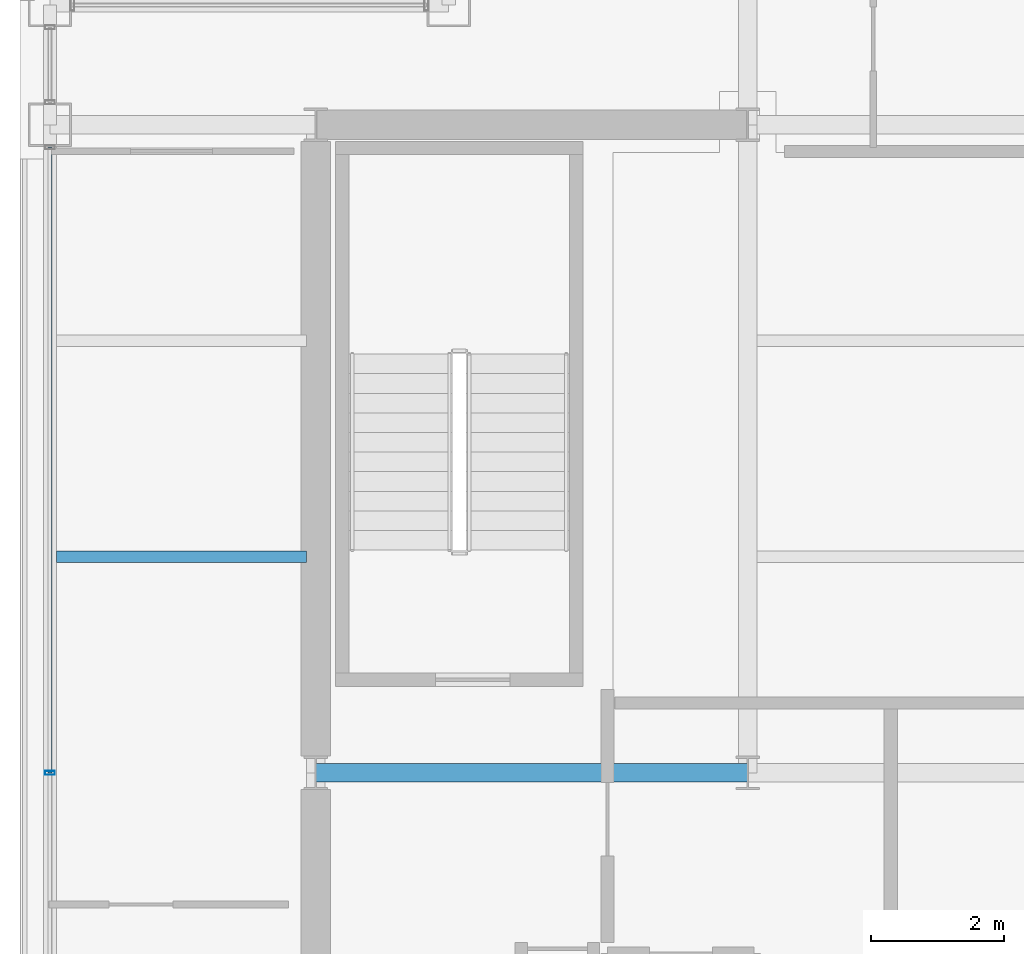
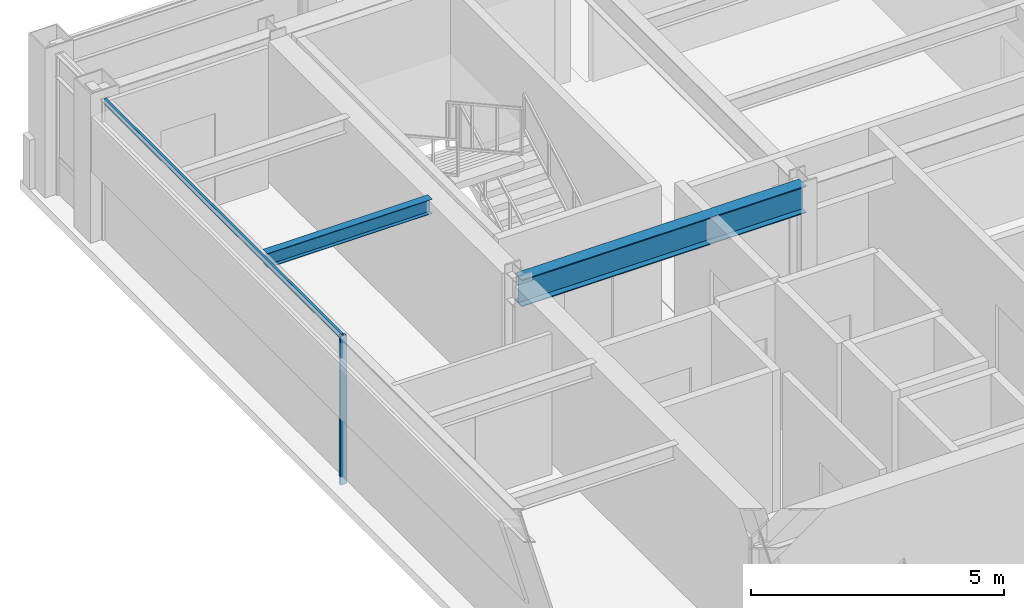
# One storey, part 6 of 23: 2 beams, 2 members, 1 element without a shape of its own.
"""IFC4 building model written with IfcOpenShell, lengths in metres."""

from ifc_helpers import new_model, si_unit, direction, frame, origin, origin_2d, place, context, subcontext, project, spatial, hollow_rectangle, i_section, extrude, material, layer, layer_set, material_profile, profile_set, type_object, element, aggregate, save


model = new_model("IFC4")

# Units and contexts
model_context = context("Model", 3, precision=1e-05, world=origin(), true_north=direction((0.0, 1.0)))
body_context = subcontext(model_context, "Body", "Model", "MODEL_VIEW")
ifc_project = project(units=[si_unit("LENGTHUNIT", "METRE"), si_unit("AREAUNIT", "SQUARE_METRE"), si_unit("VOLUMEUNIT", "CUBIC_METRE"), si_unit("PLANEANGLEUNIT", "RADIAN"), si_unit("MASSUNIT", "GRAM", prefix="KILO")], contexts=[model_context])

# Site, building, storey
site_placement = place(None, origin())
site = spatial("IfcSite", under=ifc_project, at=site_placement, CompositionType="ELEMENT")
building_placement = place(site_placement, origin())
building = spatial("IfcBuilding", under=site, at=building_placement, Name="Brelmoor Portico Tower", CompositionType="ELEMENT")
storey_placement = place(building_placement, frame((0.0, 0.0, 222.0)))
storey = spatial("IfcBuildingStorey", under=building, at=storey_placement, Name="L58", CompositionType="ELEMENT", Elevation=222.0)

# Beams
ifc_material_1 = material(Name="Steel Q355B", Category="steel")
ifc_material_profile_1 = material_profile(ifc_material_1, i_section(OverallWidth=0.175048828125, OverallDepth=0.35009765625, WebThickness=0.007080078125, FlangeThickness=0.010986328125, at=origin_2d()), Name="HN 350x175x7x11")
ifc_profile_set_1 = profile_set([ifc_material_profile_1], Name="Steel Q355B")
beam_type_1 = type_object("IfcBeamType", Name="BM-JS-350", PredefinedType="JOIST", material=ifc_profile_set_1)
beam_1_placement = place(storey_placement, frame((-18.449951171875, 3.25, 3.22509765625), z_axis=(1.0, 0.0, 0.0), x_axis=(0.0, 1.0, 0.0)))
element("IfcBeam", 1, at=beam_1_placement, inside=storey, type_object=beam_type_1, Name="L58 Secondary Wing Joist JS-W09", PredefinedType="JOIST", context=body_context, shape_type="SweptSolid", body=[
    extrude(i_section(OverallWidth=0.175048828125, OverallDepth=0.35009765625, WebThickness=0.007080078125, FlangeThickness=0.010986328125, at=origin_2d()), origin(), (0.0, 0.0, 1.0), 3.760009765625),
])
ifc_material_profile_2 = material_profile(ifc_material_1, i_section(OverallWidth=0.280029296875, OverallDepth=0.64990234375, WebThickness=0.012939453125, FlangeThickness=0.02197265625, at=origin_2d()), Name="HN 650x280x13x22")
ifc_profile_set_2 = profile_set([ifc_material_profile_2], Name="Steel Q355B")
beam_type_2 = type_object("IfcBeamType", Name="BM-PG-650", PredefinedType="BEAM", material=ifc_profile_set_2)
beam_2_placement = place(storey_placement, frame((-14.550048828125, 0.0, 3.074951171875), z_axis=(1.0, 0.0, 0.0), x_axis=(0.0, 1.0, 0.0)))
element("IfcBeam", 2, at=beam_2_placement, inside=storey, type_object=beam_type_2, Name="L58 Primary Floor Girder PG-16", PredefinedType="BEAM", context=body_context, shape_type="SweptSolid", body=[
    extrude(i_section(OverallWidth=0.280029296875, OverallDepth=0.64990234375, WebThickness=0.012939453125, FlangeThickness=0.02197265625, at=origin_2d()), origin(), (0.0, 0.0, 1.0), 6.5),
])

# Curtain wall, members
ifc_material_2 = material(Name="Anodised Aluminium Alloy 6063-T6", Category="aluminium")
ifc_layer = layer(ifc_material_2, 0.179931640625)
ifc_layer_set = layer_set([ifc_layer], Name="Anodised Aluminium Alloy 6063-T6")
curtain_wall_type = type_object("IfcCurtainWallType", Name="CW-TOWER-Z4-XB", PredefinedType="NOTDEFINED", material=ifc_layer_set)
curtain_wall_placement = place(storey_placement, origin())
curtain_wall = element("IfcCurtainWall", 3, at=curtain_wall_placement, inside=storey, type_object=curtain_wall_type, Name="L58 Curtain Wall CW-L58-03-2", PredefinedType="NOTDEFINED")
ifc_material_profile_3 = material_profile(ifc_material_2, hollow_rectangle(XDim=0.06005859375, YDim=0.14990234375, WallThickness=0.00390625, at=origin_2d()), Name="ALU MULLION 60x150")
ifc_profile_set_3 = profile_set([ifc_material_profile_3], Name="Anodised Aluminium Alloy 6063-T6")
member_type_1 = type_object("IfcMemberType", Name="MB-CW-MULL-150", PredefinedType="MULLION", material=ifc_profile_set_3)
member_1_placement = place(storey_placement, frame((-18.550048828125, 0.0, -0.199951171875), z_axis=(0.0, 0.0, 1.0), x_axis=(0.0, 1.0, 0.0)))
member_1 = element("IfcMember", 4, at=member_1_placement, type_object=member_type_1, Name="CW-L58-03-2 Mullion 01", PredefinedType="MULLION", context=body_context, shape_type="SweptSolid", body=[
    extrude(hollow_rectangle(XDim=0.06005859375, YDim=0.14990234375, WallThickness=0.00390625, at=origin_2d()), origin(), (0.0, 0.0, 1.0), 3.599853515625),
])
ifc_material_profile_4 = material_profile(ifc_material_2, hollow_rectangle(XDim=0.06005859375, YDim=0.125, WallThickness=0.00341796875, at=origin_2d()), Name="ALU TRANSOM 60x125")
ifc_profile_set_4 = profile_set([ifc_material_profile_4], Name="Anodised Aluminium Alloy 6063-T6")
member_type_2 = type_object("IfcMemberType", Name="MB-CW-TRAN-125", PredefinedType="USERDEFINED", material=ifc_profile_set_4)
member_2_placement = place(storey_placement, frame((-18.550048828125, 0.0, 3.33740234375), z_axis=(0.0, 1.0, 0.0), x_axis=(-1.0, 0.0, 0.0)))
member_2 = element("IfcMember", 5, at=member_2_placement, type_object=member_type_2, Name="CW-L58-03-2 Transom 1-01", ObjectType="TRANSOM", PredefinedType="USERDEFINED", context=body_context, shape_type="SweptSolid", body=[
    extrude(hollow_rectangle(XDim=0.06005859375, YDim=0.125, WallThickness=0.00341796875, at=origin_2d()), origin(), (0.0, 0.0, 1.0), 9.4150390625),
])
aggregate(curtain_wall, [member_1, member_2])

save(model, "model.ifc")
